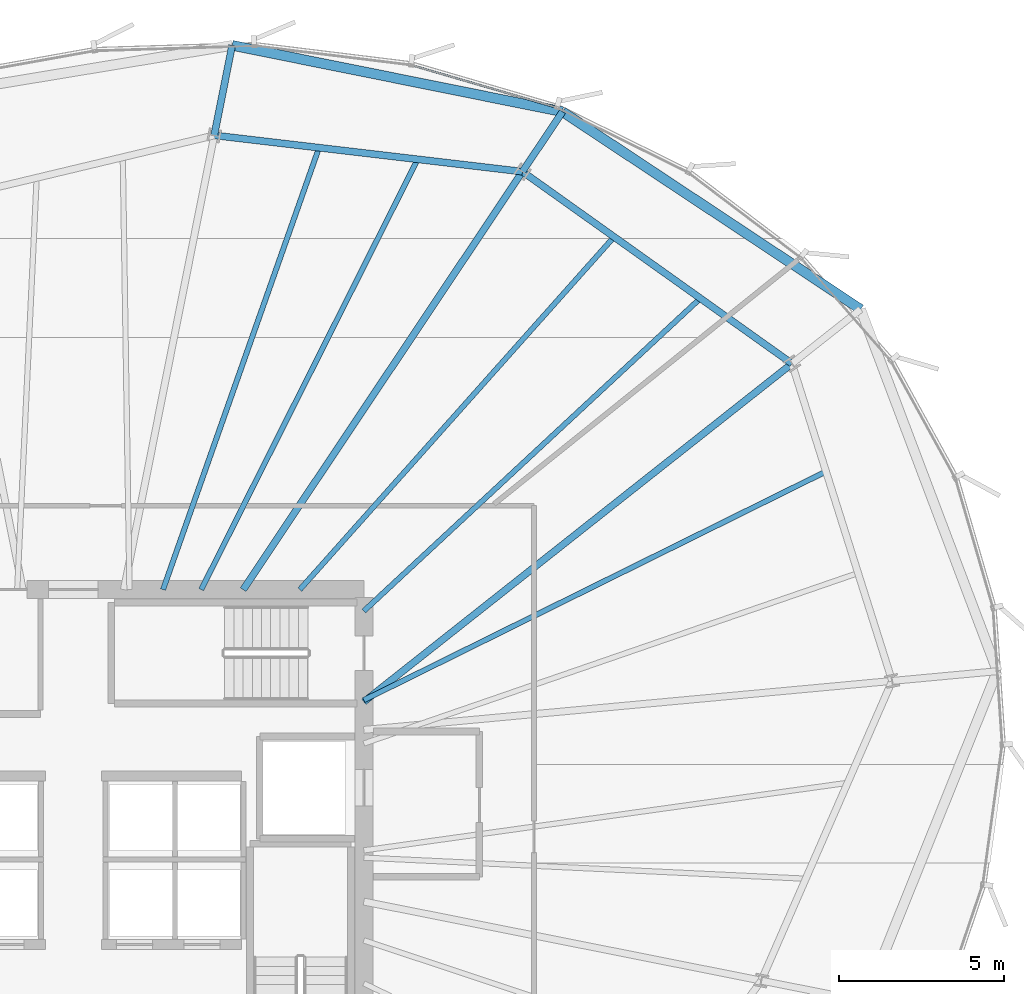
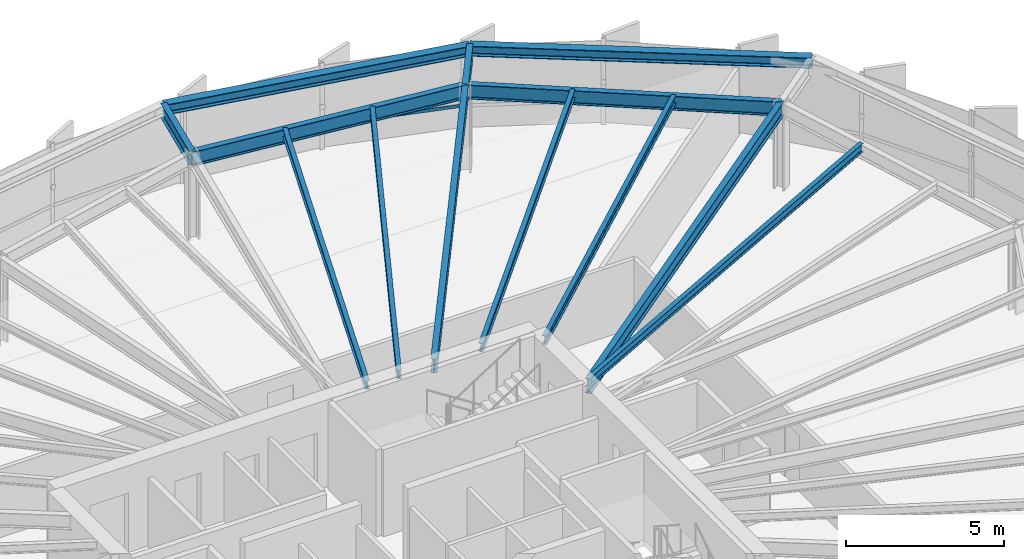
# One storey, part 22 of 34: 13 beams, 1 member, 1 element without a shape of its own.
"""IFC4 building model written with IfcOpenShell, lengths in metres."""

from ifc_helpers import new_model, si_unit, direction, frame, origin, origin_2d, place, context, subcontext, project, spatial, hollow_rectangle, i_section, extrude, source, transform, mapped, material, layer, layer_set, material_profile, profile_set, type_object, element, aggregate, save


model = new_model("IFC4")

# Units and contexts
model_context = context("Model", 3, precision=1e-05, world=origin(), true_north=direction((0.0, 1.0)))
body_context = subcontext(model_context, "Body", "Model", "MODEL_VIEW")
ifc_project = project(units=[si_unit("LENGTHUNIT", "METRE"), si_unit("AREAUNIT", "SQUARE_METRE"), si_unit("VOLUMEUNIT", "CUBIC_METRE"), si_unit("PLANEANGLEUNIT", "RADIAN"), si_unit("MASSUNIT", "GRAM", prefix="KILO"), si_unit("THERMODYNAMICTEMPERATUREUNIT", "KELVIN")], contexts=[model_context])

# Site, building, storey
site_placement = place(None, origin())
site = spatial("IfcSite", under=ifc_project, at=site_placement, CompositionType="ELEMENT")
building_placement = place(site_placement, origin())
building = spatial("IfcBuilding", under=site, at=building_placement, Name="Kethvar Cultural Tower", CompositionType="ELEMENT")
storey_placement = place(building_placement, frame((0.0, 0.0, 125.199951171875)))
storey = spatial("IfcBuildingStorey", under=building, at=storey_placement, Name="L31", CompositionType="ELEMENT", Elevation=125.199951171875)

# Beams
ifc_material_1 = material(Name="Steel S355J2", Category="steel")
ifc_material_profile_1 = material_profile(ifc_material_1, i_section(OverallWidth=0.2099609375, OverallDepth=0.550048828125, WebThickness=0.010986328125, FlangeThickness=0.01708984375, FilletRadius=0.02392578125, at=origin_2d()), Name="Steel S355J2 — IPE550")
ifc_profile_set_1 = profile_set([ifc_material_profile_1], Name="Steel S355J2 — IPE550")
beam_type_1 = type_object("IfcBeamType", Name="BM-IPE550", PredefinedType="BEAM", material=ifc_profile_set_1)
shared_shape_1 = source(origin(), body_context, "Body", "SweptSolid", [
    extrude(i_section(OverallWidth=0.2099609375, OverallDepth=0.550048828125, WebThickness=0.010986328125, FlangeThickness=0.01708984375, FilletRadius=0.02392578125, at=origin_2d()), origin(), (0.0, 0.0, 1.0), 16.527099609375),
])
beam_1_placement = place(storey_placement, frame((55.60009765625, 32.10009765625, 3.072998046875), z_axis=(0.784681939021, 0.619898584105, 0.0), x_axis=(-0.619898584105, 0.784681939021, 0.0)))
element("IfcBeam", 1, at=beam_1_placement, inside=storey, type_object=beam_type_1, Name="L31 Primary Radial Beam RB-02", PredefinedType="BEAM", context=body_context, shape_type="MappedRepresentation", body=[
    mapped(shared_shape_1, transform((0.0, 0.0, 0.0), scale=1.0)),
])
shared_shape_2 = source(origin(), body_context, "Body", "SweptSolid", [
    extrude(i_section(OverallWidth=0.2099609375, OverallDepth=0.550048828125, WebThickness=0.010986328125, FlangeThickness=0.01708984375, FilletRadius=0.02392578125, at=origin_2d()), origin(), (0.0, 0.0, 1.0), 15.22705078125),
])
beam_2_placement = place(storey_placement, frame((51.945068359375, 35.5, 3.072998046875), z_axis=(0.555569390778, 0.83147017507, 0.0), x_axis=(-0.83147017507, 0.555569390778, 0.0)))
element("IfcBeam", 2, at=beam_2_placement, inside=storey, type_object=beam_type_1, Name="L31 Primary Radial Beam RB-03", PredefinedType="BEAM", context=body_context, shape_type="MappedRepresentation", body=[
    mapped(shared_shape_2, transform((0.0, 0.0, 0.0), scale=1.0)),
])
ifc_material_profile_2 = material_profile(ifc_material_1, i_section(OverallWidth=0.159912109375, OverallDepth=0.330078125, WebThickness=0.007568359375, FlangeThickness=0.011474609375, FilletRadius=0.01806640625, at=origin_2d()), Name="Steel S355J2 — IPE330")
ifc_profile_set_2 = profile_set([ifc_material_profile_2], Name="Steel S355J2 — IPE330")
beam_type_2 = type_object("IfcBeamType", Name="BM-J330", PredefinedType="JOIST", material=ifc_profile_set_2)
shared_shape_3 = source(origin(), body_context, "Body", "SweptSolid", [
    extrude(i_section(OverallWidth=0.159912109375, OverallDepth=0.330078125, WebThickness=0.007568359375, FlangeThickness=0.011474609375, FilletRadius=0.01806640625, at=origin_2d()), origin(), (0.0, 0.0, 1.0), 15.618896484375),
])
beam_3_placement = place(storey_placement, frame((55.60009765625, 32.152587890625, 3.18310546875), z_axis=(0.896344638992, 0.443357968408, 0.0), x_axis=(-0.443357968408, 0.896344638992, 0.0)))
element("IfcBeam", 3, at=beam_3_placement, inside=storey, type_object=beam_type_2, Name="L31 Composite Floor Joist J-01B", PredefinedType="JOIST", context=body_context, shape_type="MappedRepresentation", body=[
    mapped(shared_shape_3, transform((0.0, 0.0, 0.0), scale=1.0)),
])
shared_shape_4 = source(origin(), body_context, "Body", "SweptSolid", [
    extrude(i_section(OverallWidth=0.2099609375, OverallDepth=0.550048828125, WebThickness=0.010986328125, FlangeThickness=0.01708984375, FilletRadius=0.02392578125, at=origin_2d()), origin(), (0.0, 0.0, 1.0), 10.0234375),
])
beam_4_placement = place(storey_placement, frame((68.568603515625, 42.34521484375, 3.072998046875), z_axis=(-0.814470106239, 0.580205520521, 0.0), x_axis=(-0.580205520521, -0.814470106239, 0.0)))
element("IfcBeam", 4, at=beam_4_placement, inside=storey, type_object=beam_type_1, Name="L31 Column Ring Tie Beam CR-02", PredefinedType="BEAM", context=body_context, shape_type="MappedRepresentation", body=[
    mapped(shared_shape_4, transform((0.0, 0.0, 0.0), scale=1.0)),
])
shared_shape_5 = source(origin(), body_context, "Body", "SweptSolid", [
    extrude(i_section(OverallWidth=0.159912109375, OverallDepth=0.330078125, WebThickness=0.007568359375, FlangeThickness=0.011474609375, FilletRadius=0.01806640625, at=origin_2d()), origin(), (0.0, 0.0, 1.0), 13.91455078125),
])
beam_5_placement = place(storey_placement, frame((55.60009765625, 34.85009765625, 3.18310546875), z_axis=(0.732512843328, 0.680753211054, 0.0), x_axis=(-0.680753211054, 0.732512843328, 0.0)))
element("IfcBeam", 5, at=beam_5_placement, inside=storey, type_object=beam_type_2, Name="L31 Composite Floor Joist J-02A", PredefinedType="JOIST", context=body_context, shape_type="MappedRepresentation", body=[
    mapped(shared_shape_5, transform((0.0, 0.0, 0.0), scale=1.0)),
])
shared_shape_6 = source(origin(), body_context, "Body", "SweptSolid", [
    extrude(i_section(OverallWidth=0.159912109375, OverallDepth=0.330078125, WebThickness=0.007568359375, FlangeThickness=0.011474609375, FilletRadius=0.01806640625, at=origin_2d()), origin(), (0.0, 0.0, 1.0), 14.3095703125),
])
beam_6_placement = place(storey_placement, frame((53.660888671875, 35.5, 3.18310546875), z_axis=(0.665261381663, 0.746610537073, 0.0), x_axis=(-0.746610537073, 0.665261381663, 0.0)))
element("IfcBeam", 6, at=beam_6_placement, inside=storey, type_object=beam_type_2, Name="L31 Composite Floor Joist J-02B", PredefinedType="JOIST", context=body_context, shape_type="MappedRepresentation", body=[
    mapped(shared_shape_6, transform((0.0, 0.0, 0.0), scale=1.0)),
])
shared_shape_7 = source(origin(), body_context, "Body", "SweptSolid", [
    extrude(i_section(OverallWidth=0.2099609375, OverallDepth=0.550048828125, WebThickness=0.010986328125, FlangeThickness=0.01708984375, FilletRadius=0.02392578125, at=origin_2d()), origin(), (0.0, 0.0, 1.0), 9.400634765625),
])
beam_7_placement = place(storey_placement, frame((60.40478515625, 48.160888671875, 3.072998046875), z_axis=(-0.993150427046, 0.116842754407, 0.0), x_axis=(-0.116842754407, -0.993150427046, 0.0)))
element("IfcBeam", 7, at=beam_7_placement, inside=storey, type_object=beam_type_1, Name="L31 Column Ring Tie Beam CR-03", PredefinedType="BEAM", context=body_context, shape_type="MappedRepresentation", body=[
    mapped(shared_shape_7, transform((0.0, 0.0, 0.0), scale=1.0)),
])
shared_shape_8 = source(origin(), body_context, "Body", "SweptSolid", [
    extrude(i_section(OverallWidth=0.159912109375, OverallDepth=0.330078125, WebThickness=0.007568359375, FlangeThickness=0.011474609375, FilletRadius=0.01806640625, at=origin_2d()), origin(), (0.0, 0.0, 1.0), 14.590576171875),
])
beam_8_placement = place(storey_placement, frame((50.673583984375, 35.5, 3.18310546875), z_axis=(0.449394228778, 0.893333547529, 0.0), x_axis=(-0.893333547529, 0.449394228778, 0.0)))
element("IfcBeam", 8, at=beam_8_placement, inside=storey, type_object=beam_type_2, Name="L31 Composite Floor Joist J-03A", PredefinedType="JOIST", context=body_context, shape_type="MappedRepresentation", body=[
    mapped(shared_shape_8, transform((0.0, 0.0, 0.0), scale=1.0)),
])
shared_shape_9 = source(origin(), body_context, "Body", "SweptSolid", [
    extrude(i_section(OverallWidth=0.159912109375, OverallDepth=0.330078125, WebThickness=0.007568359375, FlangeThickness=0.011474609375, FilletRadius=0.01806640625, at=origin_2d()), origin(), (0.0, 0.0, 1.0), 14.1953125),
])
beam_9_placement = place(storey_placement, frame((49.517822265625, 35.5, 3.18310546875), z_axis=(0.332865098769, 0.942974456717, 0.0), x_axis=(-0.942974456717, 0.332865098769, 0.0)))
element("IfcBeam", 9, at=beam_9_placement, inside=storey, type_object=beam_type_2, Name="L31 Composite Floor Joist J-03B", PredefinedType="JOIST", context=body_context, shape_type="MappedRepresentation", body=[
    mapped(shared_shape_9, transform((0.0, 0.0, 0.0), scale=1.0)),
])
shared_shape_10 = source(origin(), body_context, "Body", "SweptSolid", [
    extrude(i_section(OverallWidth=0.2099609375, OverallDepth=0.550048828125, WebThickness=0.010986328125, FlangeThickness=0.01708984375, FilletRadius=0.02392578125, at=origin_2d()), origin(), (0.0, 0.0, 1.0), 2.18212890625),
])
beam_10_placement = place(storey_placement, frame((60.40478515625, 48.160888671875, 3.072998046875), z_axis=(0.555577686168, 0.83146463222, 0.0), x_axis=(-0.83146463222, 0.555577686168, 0.0)))
element("IfcBeam", 10, at=beam_10_placement, inside=storey, type_object=beam_type_1, Name="L31 Perimeter Cantilever Beam RC-03", PredefinedType="BEAM", context=body_context, shape_type="MappedRepresentation", body=[
    mapped(shared_shape_10, transform((0.0, 0.0, 0.0), scale=1.0)),
])
shared_shape_11 = source(origin(), body_context, "Body", "SweptSolid", [
    extrude(i_section(OverallWidth=0.2099609375, OverallDepth=0.550048828125, WebThickness=0.010986328125, FlangeThickness=0.01708984375, FilletRadius=0.02392578125, at=origin_2d()), origin(), (0.0, 0.0, 1.0), 2.781494140625),
])
beam_11_placement = place(storey_placement, frame((51.068603515625, 49.25927734375, 3.072998046875), z_axis=(0.19503571031, 0.980796141766, 0.0), x_axis=(-0.980796141766, 0.19503571031, 0.0)))
element("IfcBeam", 11, at=beam_11_placement, inside=storey, type_object=beam_type_1, Name="L31 Perimeter Cantilever Beam RC-04", PredefinedType="BEAM", context=body_context, shape_type="MappedRepresentation", body=[
    mapped(shared_shape_11, transform((0.0, 0.0, 0.0), scale=1.0)),
])
ifc_material_profile_3 = material_profile(ifc_material_1, i_section(OverallWidth=0.300048828125, OverallDepth=0.39990234375, WebThickness=0.013427734375, FlangeThickness=0.02392578125, FilletRadius=0.027099609375, at=origin_2d()), Name="Steel S355J2 — HEB400")
ifc_profile_set_3 = profile_set([ifc_material_profile_3], Name="Steel S355J2 — HEB400")
beam_type_3 = type_object("IfcBeamType", Name="BM-SP400", PredefinedType="SPANDREL", material=ifc_profile_set_3)
shared_shape_12 = source(origin(), body_context, "Body", "SweptSolid", [
    extrude(i_section(OverallWidth=0.300048828125, OverallDepth=0.39990234375, WebThickness=0.013427734375, FlangeThickness=0.02392578125, FilletRadius=0.027099609375, at=origin_2d()), origin(), (0.0, 0.0, 1.0), 10.836181640625),
])
beam_12_placement = place(storey_placement, frame((70.650390625, 43.989990234375, 3.14794921875), z_axis=(-0.833613684007, 0.552347921003, 0.0), x_axis=(-0.552347921003, -0.833613684007, 0.0)))
element("IfcBeam", 12, at=beam_12_placement, inside=storey, type_object=beam_type_3, Name="L31 Perimeter Spandrel Beam SP-02", PredefinedType="SPANDREL", context=body_context, shape_type="MappedRepresentation", body=[
    mapped(shared_shape_12, transform((0.0, 0.0, 0.0), scale=1.0)),
])
shared_shape_13 = source(origin(), body_context, "Body", "SweptSolid", [
    extrude(i_section(OverallWidth=0.300048828125, OverallDepth=0.39990234375, WebThickness=0.013427734375, FlangeThickness=0.02392578125, FilletRadius=0.027099609375, at=origin_2d()), origin(), (0.0, 0.0, 1.0), 10.206298828125),
])
beam_13_placement = place(storey_placement, frame((61.6171875, 49.975341796875, 3.14794921875), z_axis=(-0.980377750043, 0.197128047776, 0.0), x_axis=(-0.197128047776, -0.980377750043, 0.0)))
element("IfcBeam", 13, at=beam_13_placement, inside=storey, type_object=beam_type_3, Name="L31 Perimeter Spandrel Beam SP-03", PredefinedType="SPANDREL", context=body_context, shape_type="MappedRepresentation", body=[
    mapped(shared_shape_13, transform((0.0, 0.0, 0.0), scale=1.0)),
])

# Curtain wall, member
ifc_material_2 = material(Name="Aluminium 6063-T6", Category="aluminium")
ifc_layer = layer(ifc_material_2, 0.179931640625, Name="Aluminium 6063-T6", Category="aluminium")
ifc_layer_set = layer_set([ifc_layer], Name="Aluminium 6063-T6 (180 mm)")
curtain_wall_type = type_object("IfcCurtainWallType", Name="CW-SYS-03-Z2", PredefinedType="NOTDEFINED", material=ifc_layer_set)
curtain_wall_placement = place(storey_placement, origin())
curtain_wall = element("IfcCurtainWall", 14, at=curtain_wall_placement, inside=storey, type_object=curtain_wall_type, Name="L31 Curtain Wall Run 01", PredefinedType="NOTDEFINED")
ifc_material_profile_4 = material_profile(ifc_material_2, hollow_rectangle(XDim=0.054931640625, YDim=0.1201171875, WallThickness=0.00390625, at=origin_2d()), Name="Aluminium 6063-T6 — RHS120x55x4")
ifc_profile_set_4 = profile_set([ifc_material_profile_4], Name="Aluminium 6063-T6 — RHS120x55x4")
member_type = type_object("IfcMemberType", Name="CW-SYS-03-Z2-TRN", PredefinedType="USERDEFINED", material=ifc_profile_set_4)
shared_shape_14 = source(origin(), body_context, "Body", "SweptSolid", [
    extrude(hollow_rectangle(XDim=0.054931640625, YDim=0.1201171875, WallThickness=0.00390625, at=origin_2d()), origin(), (0.0, 0.0, 1.0), 4.533935546875),
])
member_placement = place(storey_placement, frame((61.406982421875, 50.114013671875, 0.949951171875), z_axis=(-0.959949927473, 0.280171620163, 0.0), x_axis=(-0.280171620163, -0.959949927473, 0.0)))
member = element("IfcMember", 15, at=member_placement, type_object=member_type, Name="CW-L31-R01 Transom 5", ObjectType="TRANSOM", PredefinedType="USERDEFINED", context=body_context, shape_type="MappedRepresentation", body=[
    mapped(shared_shape_14, transform((0.0, 0.0, 0.0), scale=1.0)),
])
aggregate(curtain_wall, [member])

save(model, "model.ifc")
